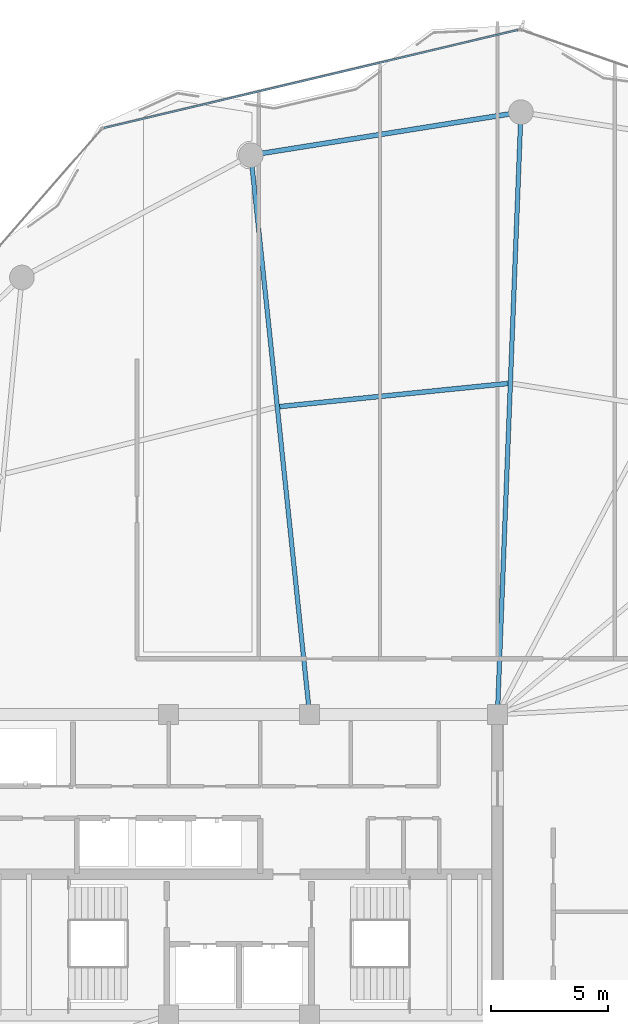
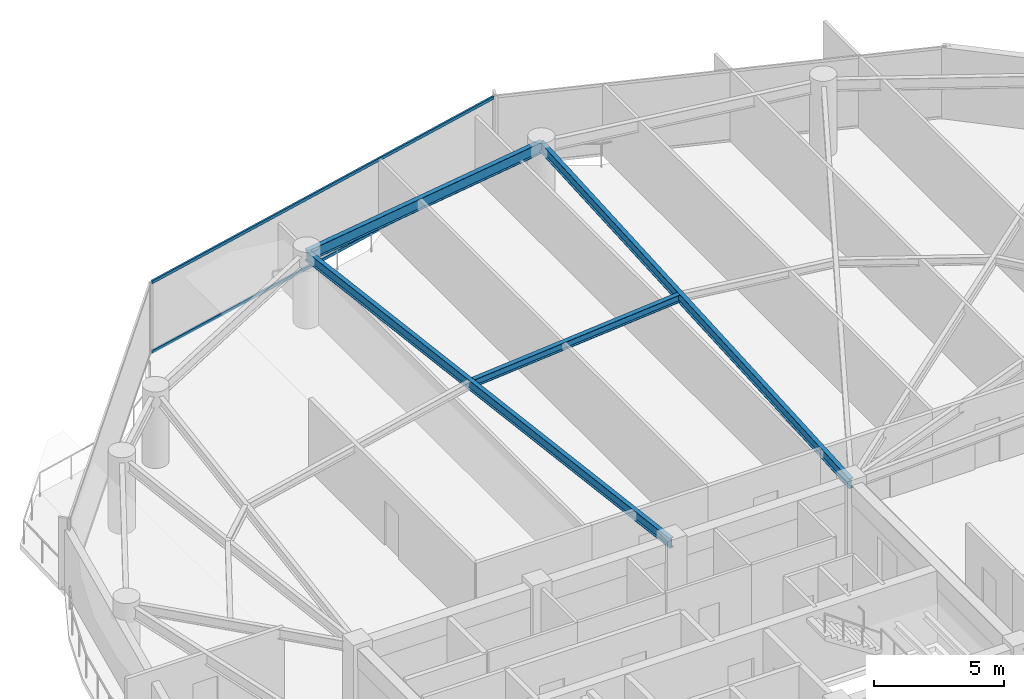
# One storey, part 18 of 28: 4 beams, 2 members, 1 element without a shape of its own.
"""IFC4 building model written with IfcOpenShell, lengths in metres."""

from ifc_helpers import new_model, si_unit, direction, frame, origin, origin_2d, place, context, subcontext, project, spatial, hollow_rectangle, i_section, extrude, material, layer, layer_set, material_profile, profile_set, type_object, element, aggregate, save


model = new_model("IFC4")

# Units and contexts
model_context = context("Model", 3, precision=1e-05, world=origin(), true_north=direction((0.0, 1.0)))
body_context = subcontext(model_context, "Body", "Model", "MODEL_VIEW")
ifc_project = project(units=[si_unit("LENGTHUNIT", "METRE"), si_unit("AREAUNIT", "SQUARE_METRE"), si_unit("VOLUMEUNIT", "CUBIC_METRE"), si_unit("PLANEANGLEUNIT", "RADIAN"), si_unit("MASSUNIT", "GRAM", prefix="KILO")], contexts=[model_context])

# Site, building, storey
site_placement = place(None, origin())
site = spatial("IfcSite", under=ifc_project, at=site_placement, CompositionType="ELEMENT")
building_placement = place(site_placement, origin())
building = spatial("IfcBuilding", under=site, at=building_placement, Name="Kazevale Care Tower and Concert Hall", CompositionType="ELEMENT")
storey_placement = place(building_placement, frame((0.0, 0.0, 231.60009765625)))
storey = spatial("IfcBuildingStorey", under=building, at=storey_placement, Name="L61", CompositionType="ELEMENT", Elevation=231.60009765625)

# Curtain wall, members
ifc_material_1 = material(Name="Aluminium 6063-T6 and Low-E Glass", Category="aluminium")
ifc_layer = layer(ifc_material_1, 0.179931640625)
ifc_layer_set = layer_set([ifc_layer], Name="Aluminium 6063-T6 and Low-E Glass")
curtain_wall_type = type_object("IfcCurtainWallType", Name="Waist & Upper Residential Curtain Wall CW-4", PredefinedType="NOTDEFINED", material=ifc_layer_set)
curtain_wall_placement = place(storey_placement, origin())
curtain_wall = element("IfcCurtainWall", 1, at=curtain_wall_placement, inside=storey, type_object=curtain_wall_type, Name="cw:L61:f15", PredefinedType="NOTDEFINED")
ifc_material_2 = material(Name="Aluminium 6063-T6", Category="aluminium")
ifc_material_profile_1 = material_profile(ifc_material_2, hollow_rectangle(XDim=0.080078125, YDim=0.139892578125, WallThickness=0.00390625, at=origin_2d()), Name="ALU80x140x4")
ifc_profile_set_1 = profile_set([ifc_material_profile_1], Name="Aluminium 6063-T6")
member_type = type_object("IfcMemberType", Name="CW-4 Transom ALU80x140x4", PredefinedType="USERDEFINED", material=ifc_profile_set_1)
member_1_placement = place(storey_placement, frame((27.249755859375, 61.37548828125, 0.039794921875), z_axis=(0.973087923042, 0.2304341425, 0.0), x_axis=(-0.2304341425, 0.973087923042, 0.0)))
member_1 = element("IfcMember", 2, at=member_1_placement, type_object=member_type, Name="CW-4 transom 1.1", ObjectType="TRANSOM", PredefinedType="USERDEFINED", context=body_context, shape_type="SweptSolid", body=[
    extrude(hollow_rectangle(XDim=0.080078125, YDim=0.139892578125, WallThickness=0.00390625, at=origin_2d()), origin(), (0.0, 0.0, 1.0), 18.114013671875),
])
member_2_placement = place(storey_placement, frame((27.249755859375, 61.37548828125, 3.31982421875), z_axis=(0.973087923042, 0.2304341425, 0.0), x_axis=(-0.2304341425, 0.973087923042, 0.0)))
member_2 = element("IfcMember", 3, at=member_2_placement, type_object=member_type, Name="CW-4 transom 1.2", ObjectType="TRANSOM", PredefinedType="USERDEFINED", context=body_context, shape_type="SweptSolid", body=[
    extrude(hollow_rectangle(XDim=0.080078125, YDim=0.139892578125, WallThickness=0.00390625, at=origin_2d()), origin(), (0.0, 0.0, 1.0), 18.114013671875),
])
aggregate(curtain_wall, [member_1, member_2])

# Beams
ifc_material_3 = material(Name="Steel ASTM A572 Gr 50", Category="steel")
ifc_material_profile_2 = material_profile(ifc_material_3, i_section(OverallWidth=0.19091796875, OverallDepth=0.4599609375, WebThickness=0.010009765625, FlangeThickness=0.01611328125, at=origin_2d()), Name="W460x82")
ifc_profile_set_2 = profile_set([ifc_material_profile_2], Name="Steel ASTM A572 Gr 50")
beam_type_1 = type_object("IfcBeamType", Name="Radial Floor Beam W460x82", PredefinedType="BEAM", material=ifc_profile_set_2)
beam_1_placement = place(storey_placement, frame((44.0, 36.39990234375, 3.1298828125), z_axis=(0.03895653799, 0.999240905962, 0.0), x_axis=(-0.999240905962, 0.03895653799, 0.0)))
element("IfcBeam", 4, at=beam_1_placement, inside=storey, type_object=beam_type_1, Name="beam:L61:rad:05", PredefinedType="BEAM", context=body_context, shape_type="SweptSolid", body=[
    extrude(i_section(OverallWidth=0.19091796875, OverallDepth=0.4599609375, WebThickness=0.010009765625, FlangeThickness=0.01611328125, at=origin_2d()), origin(), (0.0, 0.0, 1.0), 25.669677734375),
])
beam_2_placement = place(storey_placement, frame((36.0, 36.39990234375, 3.1298828125), z_axis=(-0.104380207012, 0.994537466556, 0.0), x_axis=(-0.994537466556, -0.104380207012, 0.0)))
element("IfcBeam", 5, at=beam_2_placement, inside=storey, type_object=beam_type_1, Name="beam:L61:rad:06", PredefinedType="BEAM", context=body_context, shape_type="SweptSolid", body=[
    extrude(i_section(OverallWidth=0.19091796875, OverallDepth=0.4599609375, WebThickness=0.010009765625, FlangeThickness=0.01611328125, at=origin_2d()), origin(), (0.0, 0.0, 1.0), 23.950927734375),
])
ifc_material_profile_3 = material_profile(ifc_material_3, i_section(OverallWidth=0.205078125, OverallDepth=0.35400390625, WebThickness=0.009521484375, FlangeThickness=0.016845703125, at=origin_2d()), Name="W360x79")
ifc_profile_set_3 = profile_set([ifc_material_profile_3], Name="Steel ASTM A572 Gr 50")
beam_type_2 = type_object("IfcBeamType", Name="Secondary Floor Joist W360x79", PredefinedType="JOIST", material=ifc_profile_set_3)
beam_3_placement = place(storey_placement, frame((44.446044921875, 50.4970703125, 3.182861328125), z_axis=(-0.994900388447, -0.10086236696, 0.0), x_axis=(0.10086236696, -0.994900388447, 0.0)))
element("IfcBeam", 6, at=beam_3_placement, inside=storey, type_object=beam_type_2, Name="beam:L61:joist:05", PredefinedType="JOIST", context=body_context, shape_type="SweptSolid", body=[
    extrude(i_section(OverallWidth=0.205078125, OverallDepth=0.35400390625, WebThickness=0.009521484375, FlangeThickness=0.016845703125, at=origin_2d()), origin(), (0.0, 0.0, 1.0), 9.766845703125),
])
ifc_material_profile_4 = material_profile(ifc_material_3, i_section(OverallWidth=0.208984375, OverallDepth=0.532958984375, WebThickness=0.01025390625, FlangeThickness=0.015625, at=origin_2d()), Name="W530x92")
ifc_profile_set_4 = profile_set([ifc_material_profile_4], Name="Steel ASTM A572 Gr 50")
beam_type_3 = type_object("IfcBeamType", Name="Upper Ring Beam W530x92", PredefinedType="BEAM", material=ifc_profile_set_4)
beam_4_placement = place(storey_placement, frame((45.0, 62.050048828125, 3.093505859375), z_axis=(-0.987573207584, -0.15715966296, 0.0), x_axis=(0.15715966296, -0.987573207584, 0.0)))
element("IfcBeam", 7, at=beam_4_placement, inside=storey, type_object=beam_type_3, Name="beam:L61:ring:05", PredefinedType="BEAM", context=body_context, shape_type="SweptSolid", body=[
    extrude(i_section(OverallWidth=0.208984375, OverallDepth=0.532958984375, WebThickness=0.01025390625, FlangeThickness=0.015625, at=origin_2d()), origin(), (0.0, 0.0, 1.0), 11.644775390625),
])

save(model, "model.ifc")
